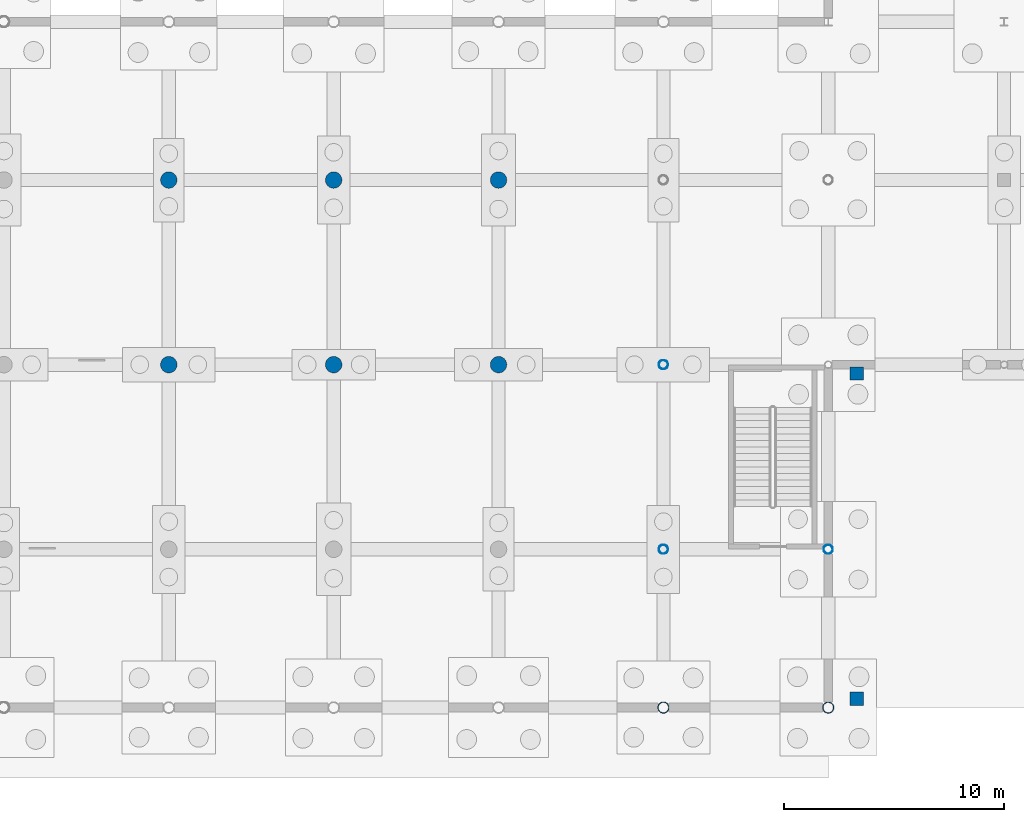
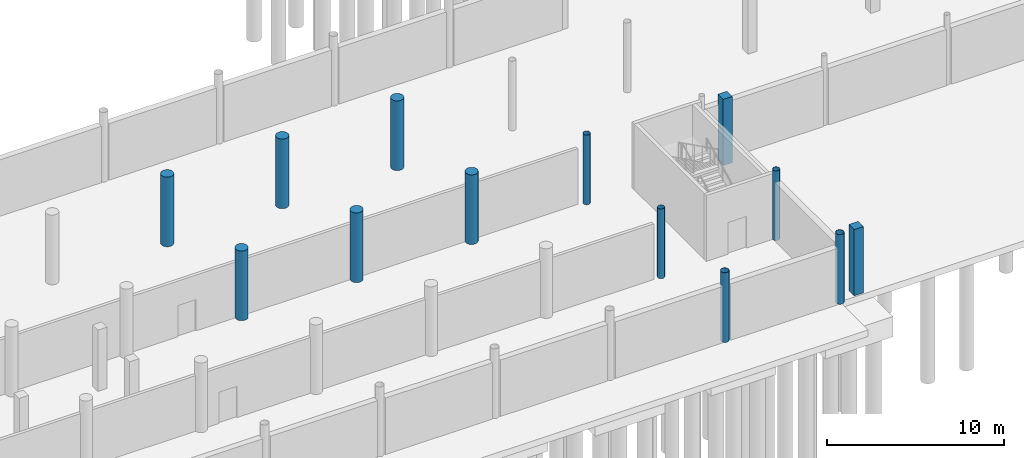
# One storey, part 14 of 44: 13 columns.
"""IFC4 building model written with IfcOpenShell, lengths in metres."""

from ifc_helpers import new_model, si_unit, direction, frame, origin, origin_2d, place, context, subcontext, project, spatial, rectangle, circle, hollow_circle, extrude, material, material_profile, profile_set, type_object, element, save


model = new_model("IFC4")

# Units and contexts
model_context = context("Model", 3, precision=1e-05, world=origin(), true_north=direction((0.0, 1.0)))
body_context = subcontext(model_context, "Body", "Model", "MODEL_VIEW")
ifc_project = project(units=[si_unit("LENGTHUNIT", "METRE"), si_unit("AREAUNIT", "SQUARE_METRE"), si_unit("VOLUMEUNIT", "CUBIC_METRE"), si_unit("PLANEANGLEUNIT", "RADIAN"), si_unit("MASSUNIT", "GRAM", prefix="KILO")], contexts=[model_context])

# Site, building, storey
site_placement = place(None, origin())
site = spatial("IfcSite", under=ifc_project, at=site_placement, CompositionType="ELEMENT")
building_placement = place(site_placement, origin())
building = spatial("IfcBuilding", under=site, at=building_placement, Name="Yukiwa Park Conservatory and Herbarium", CompositionType="ELEMENT")
storey_placement = place(building_placement, frame((0.0, 0.0, -4.800048828125)))
storey = spatial("IfcBuildingStorey", under=building, at=storey_placement, Name="B1", CompositionType="ELEMENT", Elevation=-4.800048828125)

# Columns
ifc_material_1 = material(Name="Concrete C40", Category="concrete")
ifc_material_profile_1 = material_profile(ifc_material_1, rectangle(XDim=0.60009765625, YDim=0.60009765625, at=origin_2d()), Name="RC 600x600")
ifc_profile_set_1 = profile_set([ifc_material_profile_1], Name="Concrete C40")
column_type_1 = type_object("IfcColumnType", Name="COL-B1-RC600", PredefinedType="COLUMN", material=ifc_profile_set_1)
for number, where, z_axis, x_axis, name in (
    (1, (61.300048828125, 0.39990234375, 0.0), (0.0, 0.0, 1.0), (1.0, 0.0, 0.0), "Exterior frost apron pier 17"),
    (2, (61.300048828125, 15.199951171875, 0.0), (0.0, 0.0, 1.0), (1.0, 0.0, 0.0), "Exterior frost apron pier 20"),
):
    element("IfcColumn", number, at=place(storey_placement, frame(where, z_axis=z_axis, x_axis=x_axis)), inside=storey, type_object=column_type_1, Name=name, PredefinedType="COLUMN", context=body_context, shape_type="SweptSolid", body=[
        extrude(rectangle(XDim=0.60009765625, YDim=0.60009765625, at=origin_2d()), origin(), (0.0, 0.0, 1.0), 4.56005859375),
    ])
ifc_material_2 = material(Name="Concrete C40", Category="concrete")
ifc_material_profile_2 = material_profile(ifc_material_2, circle(Radius=0.375, at=origin_2d()), Name="RC D750")
ifc_profile_set_2 = profile_set([ifc_material_profile_2], Name="Concrete C40")
column_type_2 = type_object("IfcColumnType", Name="COL-B1-RCD750", PredefinedType="COLUMN", material=ifc_profile_set_2)
for number, where, z_axis, x_axis, name in (
    (3, (30.0, 15.60009765625, 0.0), (0.0, 0.0, 1.0), (1.0, 0.0, 0.0), "B1 column V1B-X300-Y156"),
    (4, (30.0, 24.0, 0.0), (0.0, 0.0, 1.0), (1.0, 0.0, 0.0), "B1 column V1B-X300-Y240"),
    (5, (37.5, 15.60009765625, 0.0), (0.0, 0.0, 1.0), (1.0, 0.0, 0.0), "B1 column V1B-X375-Y156"),
    (6, (37.5, 24.0, 0.0), (0.0, 0.0, 1.0), (1.0, 0.0, 0.0), "B1 column V1B-X375-Y240"),
    (7, (45.0, 15.60009765625, 0.0), (0.0, 0.0, 1.0), (1.0, 0.0, 0.0), "B1 column V1B-X450-Y156"),
    (8, (45.0, 24.0, 0.0), (0.0, 0.0, 1.0), (1.0, 0.0, 0.0), "B1 column V1B-X450-Y240"),
):
    element("IfcColumn", number, at=place(storey_placement, frame(where, z_axis=z_axis, x_axis=x_axis)), inside=storey, type_object=column_type_2, Name=name, PredefinedType="COLUMN", context=body_context, shape_type="SweptSolid", body=[
        extrude(circle(Radius=0.375, at=origin_2d()), origin(), (0.0, 0.0, 1.0), 4.800048828125),
    ])
ifc_material_3 = material(Name="Steel Q355D", Category="steel")
ifc_material_profile_3 = material_profile(ifc_material_3, hollow_circle(Radius=0.212890625, WallThickness=0.013916015625, at=origin_2d()), Name="CHS 426x14")
ifc_profile_set_3 = profile_set([ifc_material_profile_3], Name="Steel Q355D")
column_type_3 = type_object("IfcColumnType", Name="COL-CV-CHS426", PredefinedType="COLUMN", material=ifc_profile_set_3)
for number, where, z_axis, x_axis, name in (
    (9, (52.5, 7.199951171875, 0.0), (0.0, 0.0, 1.0), (1.0, 0.0, 0.0), "B1 column V1-X525-Y72"),
    (10, (52.5, 15.60009765625, 0.0), (0.0, 0.0, 1.0), (1.0, 0.0, 0.0), "B1 column V1-X525-Y156"),
    (11, (60.0, 7.199951171875, 0.0), (0.0, 0.0, 1.0), (1.0, 0.0, 0.0), "B1 column V1-X600-Y72"),
):
    element("IfcColumn", number, at=place(storey_placement, frame(where, z_axis=z_axis, x_axis=x_axis)), inside=storey, type_object=column_type_3, Name=name, PredefinedType="COLUMN", context=body_context, shape_type="SweptSolid", body=[
        extrude(hollow_circle(Radius=0.212890625, WallThickness=0.013916015625, at=origin_2d()), origin(), (0.0, 0.0, 1.0), 4.800048828125),
    ])
ifc_material_4 = material(Name="Steel Q355D", Category="steel")
ifc_material_profile_4 = material_profile(ifc_material_4, hollow_circle(Radius=0.25390625, WallThickness=0.01611328125, at=origin_2d()), Name="CHS 508x16")
ifc_profile_set_4 = profile_set([ifc_material_profile_4], Name="Steel Q355D")
column_type_4 = type_object("IfcColumnType", Name="COL-CV-CHS508-INT", PredefinedType="COLUMN", material=ifc_profile_set_4)
for number, where, z_axis, x_axis, name in (
    (12, (52.5, 0.0, 0.0), (0.0, 0.0, 1.0), (1.0, 0.0, 0.0), "B1 column V1-X525-Y0"),
    (13, (60.0, 0.0, 0.0), (0.0, 0.0, 1.0), (1.0, 0.0, 0.0), "B1 column V1-X600-Y0"),
):
    element("IfcColumn", number, at=place(storey_placement, frame(where, z_axis=z_axis, x_axis=x_axis)), inside=storey, type_object=column_type_4, Name=name, PredefinedType="COLUMN", context=body_context, shape_type="SweptSolid", body=[
        extrude(hollow_circle(Radius=0.25390625, WallThickness=0.01611328125, at=origin_2d()), origin(), (0.0, 0.0, 1.0), 4.800048828125),
    ])

save(model, "model.ifc")
